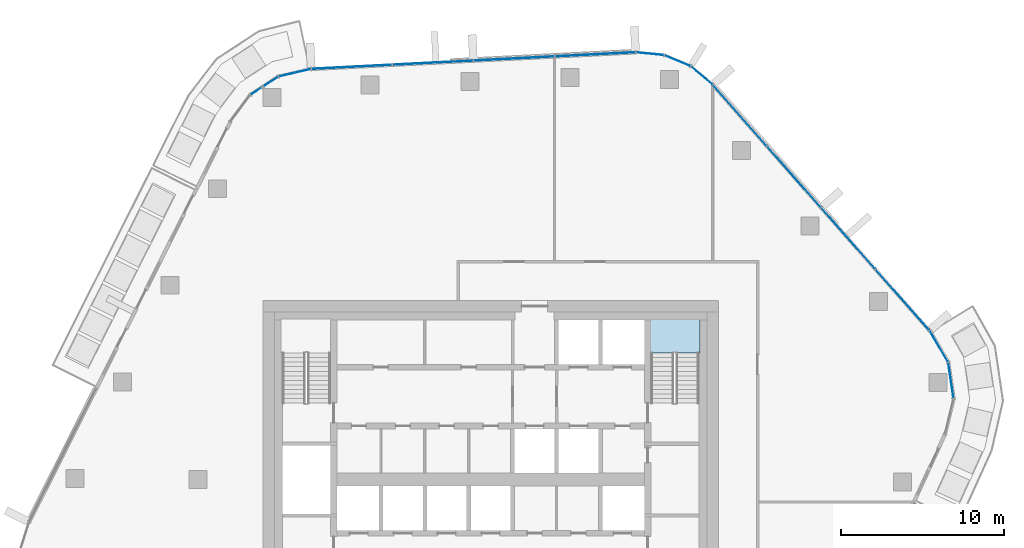
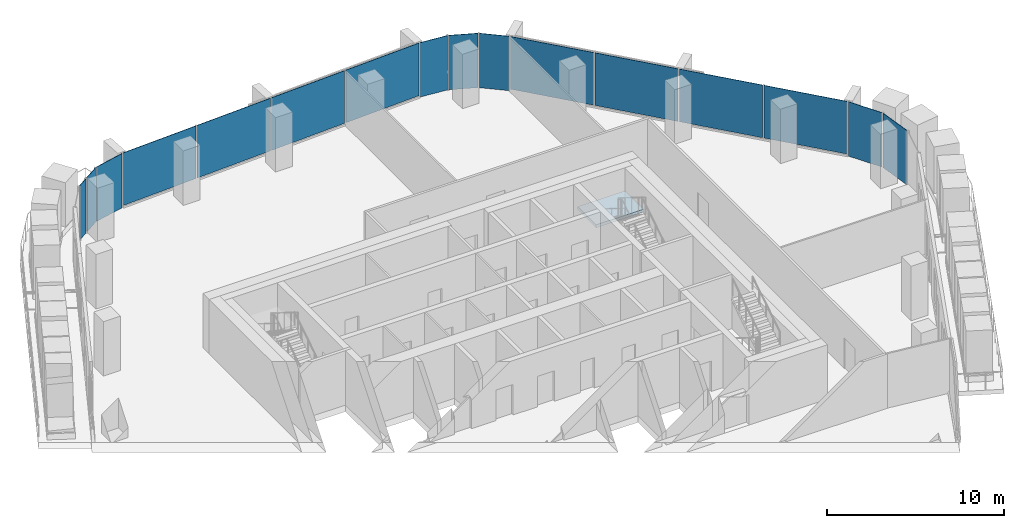
# One storey, part 10 of 21: 16 plates, 1 slab, 7 elements without a shape of their own.
"""IFC4 building model written with IfcOpenShell, lengths in metres."""

from ifc_helpers import new_model, si_unit, direction, frame, origin, origin_2d, place, context, subcontext, project, spatial, polyline, rectangle, outline, extrude, material, layer, layer_set, type_object, element, aggregate, save


model = new_model("IFC4")

# Units and contexts
model_context = context("Model", 3, precision=1e-05, world=origin(), true_north=direction((0.0, 1.0)))
body_context = subcontext(model_context, "Body", "Model", "MODEL_VIEW")
ifc_project = project(units=[si_unit("LENGTHUNIT", "METRE"), si_unit("AREAUNIT", "SQUARE_METRE"), si_unit("VOLUMEUNIT", "CUBIC_METRE"), si_unit("PLANEANGLEUNIT", "RADIAN"), si_unit("MASSUNIT", "GRAM", prefix="KILO")], contexts=[model_context])

# Site, building, storey
site_placement = place(None, origin())
site = spatial("IfcSite", under=ifc_project, at=site_placement, CompositionType="ELEMENT")
building_placement = place(site_placement, origin())
building = spatial("IfcBuilding", under=site, at=building_placement, Name="Dongbaek Canopy Tower", CompositionType="ELEMENT")
storey_placement = place(building_placement, frame((0.0, 0.0, 232.800048828125)))
storey = spatial("IfcBuildingStorey", under=building, at=storey_placement, Name="L48", CompositionType="ELEMENT", Elevation=232.800048828125)

# Curtain wall, plates
ifc_material_1 = material(Name="Aluminium 6063-T6 pale anodised", Category="aluminium")
ifc_layer_1 = layer(ifc_material_1, 0.199951171875)
ifc_layer_set_1 = layer_set([ifc_layer_1], Name="CW-1 unitised tower curtain wall")
curtain_wall_type = type_object("IfcCurtainWallType", Name="CW-1 unitised tower curtain wall", PredefinedType="NOTDEFINED", material=ifc_layer_set_1)
curtain_wall_1_placement = place(storey_placement, origin())
curtain_wall_1 = element("IfcCurtainWall", 1, at=curtain_wall_1_placement, inside=storey, type_object=curtain_wall_type, Name="CW-1 curtain wall K0.1", PredefinedType="NOTDEFINED")
ifc_material_2 = material(Name="Clear laminated glass", Category="glass")
ifc_layer_2 = layer(ifc_material_2, 0.028076171875)
ifc_layer_set_2 = layer_set([ifc_layer_2], Name="CW-1 glazed panel 28")
plate_type = type_object("IfcPlateType", Name="CW-1 glazed panel 28", PredefinedType="CURTAIN_PANEL", material=ifc_layer_set_2)
plate_1_placement = place(storey_placement, frame((28.28271484375, 6.098876953125, 0.0), z_axis=(0.0, 0.0, 1.0), x_axis=(-0.146385282221, 0.989227652843, 0.0)))
plate_1 = element("IfcPlate", 2, at=plate_1_placement, type_object=plate_type, Name="CW-1 panel K0.1.2.1", PredefinedType="CURTAIN_PANEL", context=body_context, shape_type="SweptSolid", body=[
    extrude(rectangle(XDim=2.167236328125, YDim=0.028076171875, at=origin_2d()), origin(), (0.0, 0.0, 1.0), 3.75),
])
plate_2_placement = place(storey_placement, frame((27.54541015625, 8.187255859375, 0.0), z_axis=(0.0, 0.0, 1.0), x_axis=(-0.506366548722, 0.862318339325, 0.0)))
plate_2 = element("IfcPlate", 3, at=plate_2_placement, type_object=plate_type, Name="CW-1 panel K0.1.3.1", PredefinedType="CURTAIN_PANEL", context=body_context, shape_type="SweptSolid", body=[
    extrude(rectangle(XDim=2.177001953125, YDim=0.028076171875, at=origin_2d()), origin(), (0.0, 0.0, 1.0), 3.75),
])
aggregate(curtain_wall_1, [plate_1, plate_2])

curtain_wall_2_placement = place(storey_placement, origin())
curtain_wall_2 = element("IfcCurtainWall", 4, at=curtain_wall_2_placement, inside=storey, type_object=curtain_wall_type, Name="CW-1 curtain wall F0.1", PredefinedType="NOTDEFINED")
plate_3_placement = place(storey_placement, frame((25.308837890625, 11.048095703125, 0.1201171875), z_axis=(0.0, 0.0, 1.0), x_axis=(-0.661631384947, 0.749829254199, 0.0)))
plate_3 = element("IfcPlate", 5, at=plate_3_placement, type_object=plate_type, Name="CW-1 panel F0.1.1.1", PredefinedType="CURTAIN_PANEL", context=body_context, shape_type="SweptSolid", body=[
    extrude(rectangle(XDim=4.946044921875, YDim=0.028076171875, at=origin_2d()), origin(), (0.0, 0.0, 1.0), 3.6298828125),
])
plate_4_placement = place(storey_placement, frame((21.977783203125, 14.8232421875, 0.1201171875), z_axis=(0.0, 0.0, 1.0), x_axis=(-0.661631384947, 0.749829254199, 0.0)))
plate_4 = element("IfcPlate", 6, at=plate_4_placement, type_object=plate_type, Name="CW-1 panel F0.1.2.1", PredefinedType="CURTAIN_PANEL", context=body_context, shape_type="SweptSolid", body=[
    extrude(rectangle(XDim=4.95556640625, YDim=0.028076171875, at=origin_2d()), origin(), (0.0, 0.0, 1.0), 3.6298828125),
])
plate_5_placement = place(storey_placement, frame((18.643310546875, 18.60205078125, 0.1201171875), z_axis=(0.0, 0.0, 1.0), x_axis=(-0.661631384947, 0.749829254199, 0.0)))
plate_5 = element("IfcPlate", 7, at=plate_5_placement, type_object=plate_type, Name="CW-1 panel F0.1.3.1", PredefinedType="CURTAIN_PANEL", context=body_context, shape_type="SweptSolid", body=[
    extrude(rectangle(XDim=4.95556640625, YDim=0.028076171875, at=origin_2d()), origin(), (0.0, 0.0, 1.0), 3.6298828125),
])
plate_6_placement = place(storey_placement, frame((15.3115234375, 22.378173828125, 0.1201171875), z_axis=(0.0, 0.0, 1.0), x_axis=(-0.661631384947, 0.749829254199, 0.0)))
plate_6 = element("IfcPlate", 8, at=plate_6_placement, type_object=plate_type, Name="CW-1 panel F0.1.4.1", PredefinedType="CURTAIN_PANEL", context=body_context, shape_type="SweptSolid", body=[
    extrude(rectangle(XDim=4.947998046875, YDim=0.028076171875, at=origin_2d()), origin(), (0.0, 0.0, 1.0), 3.6298828125),
])
aggregate(curtain_wall_2, [plate_3, plate_4, plate_5, plate_6])

curtain_wall_3_placement = place(storey_placement, origin())
curtain_wall_3 = element("IfcCurtainWall", 9, at=curtain_wall_3_placement, inside=storey, type_object=curtain_wall_type, Name="CW-1 curtain wall K1.1", PredefinedType="NOTDEFINED")
plate_7_placement = place(storey_placement, frame((12.96923828125, 24.8330078125, 0.0), z_axis=(0.0, 0.0, 1.0), x_axis=(-0.766147720416, 0.642664508512, 0.0)))
plate_7 = element("IfcPlate", 10, at=plate_7_placement, type_object=plate_type, Name="CW-1 panel K1.1.1.1", PredefinedType="CURTAIN_PANEL", context=body_context, shape_type="SweptSolid", body=[
    extrude(rectangle(XDim=1.6845703125, YDim=0.028076171875, at=origin_2d()), origin(), (0.0, 0.0, 1.0), 3.75),
])
plate_8_placement = place(storey_placement, frame((11.480224609375, 25.742919921875, 0.0), z_axis=(0.0, 0.0, 1.0), x_axis=(-0.921719697186, 0.387856674326, 0.0)))
plate_8 = element("IfcPlate", 11, at=plate_8_placement, type_object=plate_type, Name="CW-1 panel K1.1.2.1", PredefinedType="CURTAIN_PANEL", context=body_context, shape_type="SweptSolid", body=[
    extrude(rectangle(XDim=1.677001953125, YDim=0.028076171875, at=origin_2d()), origin(), (0.0, 0.0, 1.0), 3.75),
])
plate_9_placement = place(storey_placement, frame((9.78857421875, 26.171630859375, 0.0), z_axis=(0.0, 0.0, 1.0), x_axis=(-0.995139099374, 0.098479301867, 0.0)))
plate_9 = element("IfcPlate", 12, at=plate_9_placement, type_object=plate_type, Name="CW-1 panel K1.1.3.1", PredefinedType="CURTAIN_PANEL", context=body_context, shape_type="SweptSolid", body=[
    extrude(rectangle(XDim=1.6845703125, YDim=0.028076171875, at=origin_2d()), origin(), (0.0, 0.0, 1.0), 3.75),
])
aggregate(curtain_wall_3, [plate_7, plate_8, plate_9])

curtain_wall_4_placement = place(storey_placement, origin())
curtain_wall_4 = element("IfcCurtainWall", 13, at=curtain_wall_4_placement, inside=storey, type_object=curtain_wall_type, Name="CW-1 curtain wall F1.1", PredefinedType="NOTDEFINED")
plate_10_placement = place(storey_placement, frame((6.418701171875, 26.131103515625, 0.1201171875), z_axis=(0.0, 0.0, 1.0), x_axis=(-0.998689884607, -0.051171421559, 0.0)))
plate_10 = element("IfcPlate", 14, at=plate_10_placement, type_object=plate_type, Name="CW-1 panel F1.1.1.1", PredefinedType="CURTAIN_PANEL", context=body_context, shape_type="SweptSolid", body=[
    extrude(rectangle(XDim=4.90234375, YDim=0.028076171875, at=origin_2d()), origin(), (0.0, 0.0, 1.0), 3.6298828125),
])
plate_11_placement = place(storey_placement, frame((1.43505859375, 25.875732421875, 0.1201171875), z_axis=(0.0, 0.0, 1.0), x_axis=(-0.998689884607, -0.051171421559, 0.0)))
plate_11 = element("IfcPlate", 15, at=plate_11_placement, type_object=plate_type, Name="CW-1 panel F1.1.2.1", PredefinedType="CURTAIN_PANEL", context=body_context, shape_type="SweptSolid", body=[
    extrude(rectangle(XDim=4.90966796875, YDim=0.028076171875, at=origin_2d()), origin(), (0.0, 0.0, 1.0), 3.6298828125),
])
plate_12_placement = place(storey_placement, frame((-3.552001953125, 25.6201171875, 0.1201171875), z_axis=(0.0, 0.0, 1.0), x_axis=(-0.998689884607, -0.051171421559, 0.0)))
plate_12 = element("IfcPlate", 16, at=plate_12_placement, type_object=plate_type, Name="CW-1 panel F1.1.3.1", PredefinedType="CURTAIN_PANEL", context=body_context, shape_type="SweptSolid", body=[
    extrude(rectangle(XDim=4.90966796875, YDim=0.028076171875, at=origin_2d()), origin(), (0.0, 0.0, 1.0), 3.6298828125),
])
plate_13_placement = place(storey_placement, frame((-8.534912109375, 25.36474609375, 0.1201171875), z_axis=(0.0, 0.0, 1.0), x_axis=(-0.998689884607, -0.051171421559, 0.0)))
plate_13 = element("IfcPlate", 17, at=plate_13_placement, type_object=plate_type, Name="CW-1 panel F1.1.4.1", PredefinedType="CURTAIN_PANEL", context=body_context, shape_type="SweptSolid", body=[
    extrude(rectangle(XDim=4.90087890625, YDim=0.028076171875, at=origin_2d()), origin(), (0.0, 0.0, 1.0), 3.6298828125),
])
aggregate(curtain_wall_4, [plate_10, plate_11, plate_12, plate_13])

curtain_wall_5_placement = place(storey_placement, origin())
curtain_wall_5 = element("IfcCurtainWall", 18, at=curtain_wall_5_placement, inside=storey, type_object=curtain_wall_type, Name="CW-1 curtain wall K2.1a", PredefinedType="NOTDEFINED")
plate_14_placement = place(storey_placement, frame((-12.032958984375, 25.00439453125, 0.0), z_axis=(0.0, 0.0, 1.0), x_axis=(-0.974375156236, -0.224928999708, 0.0)))
plate_14 = element("IfcPlate", 19, at=plate_14_placement, type_object=plate_type, Name="CW-1 panel K2.1a.1.1", PredefinedType="CURTAIN_PANEL", context=body_context, shape_type="SweptSolid", body=[
    extrude(rectangle(XDim=1.98681640625, YDim=0.028076171875, at=origin_2d()), origin(), (0.0, 0.0, 1.0), 3.75),
])
plate_15_placement = place(storey_placement, frame((-13.51806640625, 24.460693359375, 0.0), z_axis=(0.0, 0.0, 1.0), x_axis=(-0.83743519792, -0.546536631238, 0.0)))
plate_15 = element("IfcPlate", 20, at=plate_15_placement, type_object=plate_type, Name="CW-1 panel K2.1a.2.1", PredefinedType="CURTAIN_PANEL", context=body_context, shape_type="SweptSolid", body=[
    extrude(rectangle(XDim=1.053466796875, YDim=0.028076171875, at=origin_2d()), origin(), (0.0, 0.0, 1.0), 3.75),
])
aggregate(curtain_wall_5, [plate_14, plate_15])

# Curtain wall, plate
curtain_wall_6_placement = place(storey_placement, origin())
curtain_wall_6 = element("IfcCurtainWall", 21, at=curtain_wall_6_placement, inside=storey, type_object=curtain_wall_type, Name="CW-1 curtain wall K2.1b", PredefinedType="NOTDEFINED")
plate_16_placement = place(storey_placement, frame((-14.415771484375, 23.874755859375, 0.0), z_axis=(0.0, 0.0, 1.0), x_axis=(-0.83743519792, -0.546536631238, 0.0)))
plate_16 = element("IfcPlate", 22, at=plate_16_placement, type_object=plate_type, Name="CW-1 panel K2.1b.1.1", PredefinedType="CURTAIN_PANEL", context=body_context, shape_type="SweptSolid", body=[
    extrude(rectangle(XDim=0.75830078125, YDim=0.028076171875, at=origin_2d()), origin(), (0.0, 0.0, 1.0), 3.75),
])
aggregate(curtain_wall_6, [plate_16])

# Stair, slab
ifc_material_3 = material(Name="Concrete C40/50", Category="concrete")
stair_type = type_object("IfcStairType", Name="Core exit stair", PredefinedType="HALF_TURN_STAIR", material=ifc_material_3)
stair_placement = place(storey_placement, origin())
stair = element("IfcStair", 23, at=stair_placement, inside=storey, type_object=stair_type, Name="L48 exit stair A", PredefinedType="HALF_TURN_STAIR")
ifc_material_4 = material(Name="Concrete C40/50", Category="concrete")
ifc_layer_3 = layer(ifc_material_4, 0.199951171875)
ifc_layer_set_3 = layer_set([ifc_layer_3], Name="Core stair landing 200")
slab_type = type_object("IfcSlabType", Name="Core stair landing 200", PredefinedType="LANDING", material=ifc_layer_set_3)
slab_placement = place(storey_placement, frame((0.0, 0.0, 1.89990234375)))
slab = element("IfcSlab", 24, at=slab_placement, type_object=slab_type, Name="ST-A landing 1", PredefinedType="LANDING", context=body_context, shape_type="SweptSolid", body=[
    extrude(outline(polyline([(12.875, 7.780029296875), (12.875, 9.875), (9.77490234375, 9.875), (9.77490234375, 7.780029296875), (12.875, 7.780029296875)])), origin(), (0.0, 0.0, 1.0), 0.199951171875),
])
aggregate(stair, [slab])

save(model, "model.ifc")
